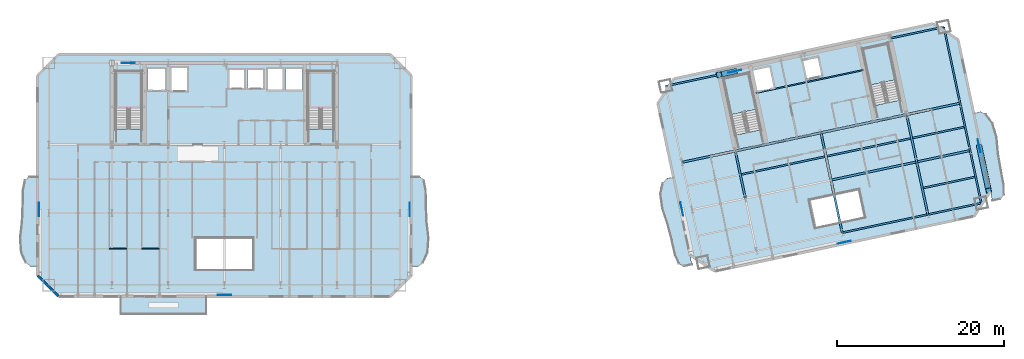
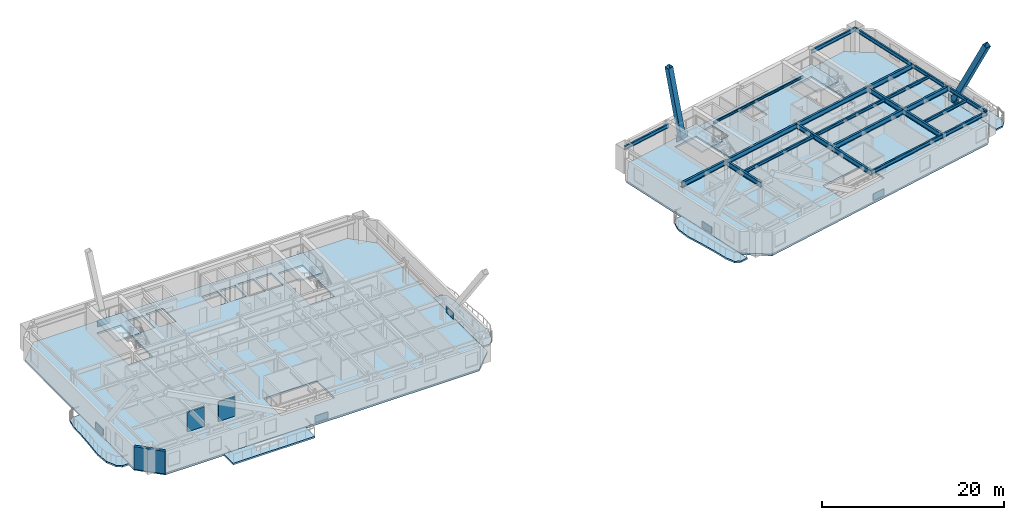
# One storey, part 4 of 14: 23 beams, 11 slabs, 8 plates, 3 walls, 2 members, 4 elements without a shape of their own.
"""IFC4 building model written with IfcOpenShell, lengths in metres."""

from ifc_helpers import new_model, si_unit, direction, frame, frame_2d, origin, origin_2d, place, context, subcontext, project, spatial, polyline, rectangle, hollow_rectangle, i_section, outline, extrude, material, layer, layer_set, material_profile, profile_set, type_object, element, aggregate, save


model = new_model("IFC4")

# Units and contexts
model_context = context("Model", 3, precision=1e-05, world=origin(), true_north=direction((0.0, 1.0)))
body_context = subcontext(model_context, "Body", "Model", "MODEL_VIEW")
ifc_project = project(units=[si_unit("LENGTHUNIT", "METRE"), si_unit("AREAUNIT", "SQUARE_METRE"), si_unit("VOLUMEUNIT", "CUBIC_METRE"), si_unit("PLANEANGLEUNIT", "RADIAN"), si_unit("MASSUNIT", "GRAM", prefix="KILO")], contexts=[model_context])

# Site, building, storey
site_placement = place(None, origin())
site = spatial("IfcSite", under=ifc_project, at=site_placement, CompositionType="ELEMENT")
building_placement = place(site_placement, origin())
building = spatial("IfcBuilding", under=site, at=building_placement, Name="Haevon Station Towers", CompositionType="ELEMENT")
storey_placement = place(building_placement, frame((0.0, 0.0, 123.0)))
storey = spatial("IfcBuildingStorey", under=building, at=storey_placement, Name="L33", CompositionType="ELEMENT", Elevation=123.0)

# Beams
ifc_material_1 = material(Name="Steel S355", Category="steel")
ifc_material_profile_1 = material_profile(ifc_material_1, i_section(OverallWidth=0.25, OverallDepth=0.64990234375, WebThickness=0.012939453125, FlangeThickness=0.02197265625, at=origin_2d()), Name="H-650x250x13x22")
ifc_profile_set_1 = profile_set([ifc_material_profile_1], Name="Steel S355")
beam_type_1 = type_object("IfcBeamType", Name="BM-G650", PredefinedType="BEAM", material=ifc_profile_set_1)
beam_1_placement = place(storey_placement, frame((110.228759765625, 33.9521484375, 2.72509765625), z_axis=(0.978146794194, 0.207915485254, 0.0), x_axis=(-0.207915485254, 0.978146794194, 0.0)))
element("IfcBeam", 1, at=beam_1_placement, inside=storey, type_object=beam_type_1, Name="BM-T2U-L33-02-03", PredefinedType="BEAM", context=body_context, shape_type="SweptSolid", body=[
    extrude(i_section(OverallWidth=0.25, OverallDepth=0.64990234375, WebThickness=0.012939453125, FlangeThickness=0.02197265625, at=origin_2d()), origin(), (0.0, 0.0, 1.0), 10.5),
])
for number, where, z_axis, x_axis, name in (
    (2, (120.499267578125, 36.13525390625, 2.72509765625), (0.978148524343, 0.207907345532, 0.0), (-0.207907345532, 0.978148524343, 0.0), "BM-T2U-L33-02-04"),
    (3, (92.345458984375, 36.08056640625, 2.72509765625), (0.978148524343, 0.207907345532, 0.0), (-0.207907345532, 0.978148524343, 0.0), "BM-T2U-L33-03-01"),
):
    element("IfcBeam", number, at=place(storey_placement, frame(where, z_axis=z_axis, x_axis=x_axis)), inside=storey, type_object=beam_type_1, Name=name, PredefinedType="BEAM", context=body_context, shape_type="SweptSolid", body=[
        extrude(i_section(OverallWidth=0.25, OverallDepth=0.64990234375, WebThickness=0.012939453125, FlangeThickness=0.02197265625, at=origin_2d()), origin(), (0.0, 0.0, 1.0), 6.550048828125),
    ])
for number, where, z_axis, x_axis, name in (
    (4, (98.75244140625, 37.4423828125, 2.72509765625), (0.978146794194, 0.207915485254, 0.0), (-0.207915485254, 0.978146794194, 0.0), "BM-T2U-L33-03-02"),
    (5, (109.02294921875, 39.62548828125, 2.72509765625), (0.978146794194, 0.207915485254, 0.0), (-0.207915485254, 0.978146794194, 0.0), "BM-T2U-L33-03-03"),
):
    element("IfcBeam", number, at=place(storey_placement, frame(where, z_axis=z_axis, x_axis=x_axis)), inside=storey, type_object=beam_type_1, Name=name, PredefinedType="BEAM", context=body_context, shape_type="SweptSolid", body=[
        extrude(i_section(OverallWidth=0.25, OverallDepth=0.64990234375, WebThickness=0.012939453125, FlangeThickness=0.02197265625, at=origin_2d()), origin(), (0.0, 0.0, 1.0), 10.5),
    ])
beam_2_placement = place(storey_placement, frame((119.29345703125, 41.80859375, 2.72509765625), z_axis=(0.978146913123, 0.207914925745, 0.0), x_axis=(-0.207914925745, 0.978146913123, 0.0)))
element("IfcBeam", 6, at=beam_2_placement, inside=storey, type_object=beam_type_1, Name="BM-T2U-L33-03-04", PredefinedType="BEAM", context=body_context, shape_type="SweptSolid", body=[
    extrude(i_section(OverallWidth=0.25, OverallDepth=0.64990234375, WebThickness=0.012939453125, FlangeThickness=0.02197265625, at=origin_2d()), origin(), (0.0, 0.0, 1.0), 6.5498046875),
])
beam_3_placement = place(storey_placement, frame((99.958251953125, 31.76904296875, 2.72509765625), z_axis=(-0.207896009217, 0.97815093383, 0.0), x_axis=(-0.97815093383, -0.207896009217, 0.0)))
element("IfcBeam", 7, at=beam_3_placement, inside=storey, type_object=beam_type_1, Name="BM-T2V-L33-02-02", PredefinedType="BEAM", context=body_context, shape_type="SweptSolid", body=[
    extrude(i_section(OverallWidth=0.25, OverallDepth=0.64990234375, WebThickness=0.012939453125, FlangeThickness=0.02197265625, at=origin_2d()), origin(), (0.0, 0.0, 1.0), 5.800048828125),
])
beam_4_placement = place(storey_placement, frame((111.56982421875, 27.64306640625, 2.72509765625), z_axis=(-0.207915795165, 0.978146728319, 0.0), x_axis=(-0.978146728319, -0.207915795165, 0.0)))
element("IfcBeam", 8, at=beam_4_placement, inside=storey, type_object=beam_type_1, Name="BM-T2V-L33-03-01", PredefinedType="BEAM", context=body_context, shape_type="SweptSolid", body=[
    extrude(i_section(OverallWidth=0.25, OverallDepth=0.64990234375, WebThickness=0.012939453125, FlangeThickness=0.02197265625, at=origin_2d()), origin(), (0.0, 0.0, 1.0), 6.449951171875),
])
beam_5_placement = place(storey_placement, frame((110.228759765625, 33.9521484375, 2.72509765625), z_axis=(-0.207896009217, 0.97815093383, 0.0), x_axis=(-0.97815093383, -0.207896009217, 0.0)))
element("IfcBeam", 9, at=beam_5_placement, inside=storey, type_object=beam_type_1, Name="BM-T2V-L33-03-02", PredefinedType="BEAM", context=body_context, shape_type="SweptSolid", body=[
    extrude(i_section(OverallWidth=0.25, OverallDepth=0.64990234375, WebThickness=0.012939453125, FlangeThickness=0.02197265625, at=origin_2d()), origin(), (0.0, 0.0, 1.0), 5.800048828125),
])
beam_6_placement = place(storey_placement, frame((121.84033203125, 29.826171875, 2.72509765625), z_axis=(-0.207915795165, 0.978146728319, 0.0), x_axis=(-0.978146728319, -0.207915795165, 0.0)))
element("IfcBeam", 10, at=beam_6_placement, inside=storey, type_object=beam_type_1, Name="BM-T2V-L33-04-01", PredefinedType="BEAM", context=body_context, shape_type="SweptSolid", body=[
    extrude(i_section(OverallWidth=0.25, OverallDepth=0.64990234375, WebThickness=0.012939453125, FlangeThickness=0.02197265625, at=origin_2d()), origin(), (0.0, 0.0, 1.0), 6.449951171875),
])
beam_7_placement = place(storey_placement, frame((120.499267578125, 36.13525390625, 2.72509765625), z_axis=(-0.207896009217, 0.97815093383, 0.0), x_axis=(-0.97815093383, -0.207896009217, 0.0)))
element("IfcBeam", 11, at=beam_7_placement, inside=storey, type_object=beam_type_1, Name="BM-T2V-L33-04-02", PredefinedType="BEAM", context=body_context, shape_type="SweptSolid", body=[
    extrude(i_section(OverallWidth=0.25, OverallDepth=0.64990234375, WebThickness=0.012939453125, FlangeThickness=0.02197265625, at=origin_2d()), origin(), (0.0, 0.0, 1.0), 5.800048828125),
])
ifc_material_profile_2 = material_profile(ifc_material_1, i_section(OverallWidth=0.199951171875, OverallDepth=0.39990234375, WebThickness=0.008056640625, FlangeThickness=0.012939453125, at=origin_2d()), Name="H-400x200x8x13")
ifc_profile_set_2 = profile_set([ifc_material_profile_2], Name="Steel S355")
beam_type_2 = type_object("IfcBeamType", Name="BM-J400", PredefinedType="JOIST", material=ifc_profile_set_2)
beam_8_placement = place(storey_placement, frame((121.27734375, 33.003662109375, 2.85009765625), z_axis=(0.978146498858, 0.207916874669, 0.0), x_axis=(-0.207916874669, 0.978146498858, 0.0)))
element("IfcBeam", 12, at=beam_8_placement, inside=storey, type_object=beam_type_2, Name="BM-T2J-L33-01-04", PredefinedType="JOIST", context=body_context, shape_type="SweptSolid", body=[
    extrude(i_section(OverallWidth=0.199951171875, OverallDepth=0.39990234375, WebThickness=0.008056640625, FlangeThickness=0.012939453125, at=origin_2d()), origin(), (0.0, 0.0, 1.0), 6.330322265625),
])
for number, where, z_axis, x_axis, name in (
    (13, (99.462890625, 34.628662109375, 2.85009765625), (0.978150339653, 0.207898804801, 0.0), (-0.207898804801, 0.978150339653, 0.0), "BM-T2J-L33-02-02"),
    (14, (109.7333984375, 36.811767578125, 2.85009765625), (0.978150339653, 0.207898804801, 0.0), (-0.207898804801, 0.978150339653, 0.0), "BM-T2J-L33-02-03"),
):
    element("IfcBeam", number, at=place(storey_placement, frame(where, z_axis=z_axis, x_axis=x_axis)), inside=storey, type_object=beam_type_2, Name=name, PredefinedType="JOIST", context=body_context, shape_type="SweptSolid", body=[
        extrude(i_section(OverallWidth=0.199951171875, OverallDepth=0.39990234375, WebThickness=0.008056640625, FlangeThickness=0.012939453125, at=origin_2d()), origin(), (0.0, 0.0, 1.0), 10.280029296875),
    ])
beam_9_placement = place(storey_placement, frame((120.00390625, 38.994873046875, 2.85009765625), z_axis=(0.978152675037, 0.207887816665, 0.0), x_axis=(-0.207887816665, 0.978152675037, 0.0)))
element("IfcBeam", 15, at=beam_9_placement, inside=storey, type_object=beam_type_2, Name="BM-T2J-L33-02-04", PredefinedType="JOIST", context=body_context, shape_type="SweptSolid", body=[
    extrude(i_section(OverallWidth=0.199951171875, OverallDepth=0.39990234375, WebThickness=0.008056640625, FlangeThickness=0.012939453125, at=origin_2d()), origin(), (0.0, 0.0, 1.0), 6.329833984375),
])
ifc_material_profile_3 = material_profile(ifc_material_1, i_section(OverallWidth=0.14990234375, OverallDepth=0.300048828125, WebThickness=0.006591796875, FlangeThickness=0.009033203125, at=origin_2d()), Name="H-300x150x6.5x9")
ifc_profile_set_3 = profile_set([ifc_material_profile_3], Name="Steel S355")
beam_type_3 = type_object("IfcBeamType", Name="BM-LIN300", PredefinedType="LINTEL", material=ifc_profile_set_3)
beam_10_placement = place(storey_placement, frame((101.20849609375, 44.4052734375, 2.89990234375), z_axis=(0.978147802964, 0.207910739399, 0.0), x_axis=(-0.207910739399, 0.978147802964, 0.0)))
element("IfcBeam", 16, at=beam_10_placement, inside=storey, type_object=beam_type_3, Name="BM-T2LIN-L33", PredefinedType="LINTEL", context=body_context, shape_type="SweptSolid", body=[
    extrude(i_section(OverallWidth=0.14990234375, OverallDepth=0.300048828125, WebThickness=0.006591796875, FlangeThickness=0.009033203125, at=origin_2d()), origin(), (0.0, 0.0, 1.0), 13.19970703125),
])
ifc_material_profile_4 = material_profile(ifc_material_1, i_section(OverallWidth=0.199951171875, OverallDepth=0.5, WebThickness=0.010009765625, FlangeThickness=0.01611328125, at=origin_2d()), Name="H-500x200x10x16")
ifc_profile_set_4 = profile_set([ifc_material_profile_4], Name="Steel S355")
beam_type_4 = type_object("IfcBeamType", Name="BM-SP500", PredefinedType="SPANDREL", material=ifc_profile_set_4)
beam_11_placement = place(storey_placement, frame((111.56982421875, 27.64306640625, 2.800048828125), z_axis=(0.978146794194, 0.207915485254, 0.0), x_axis=(-0.207915485254, 0.978146794194, 0.0)))
element("IfcBeam", 17, at=beam_11_placement, inside=storey, type_object=beam_type_4, Name="BM-T2U-L33-01-03", PredefinedType="SPANDREL", context=body_context, shape_type="SweptSolid", body=[
    extrude(i_section(OverallWidth=0.199951171875, OverallDepth=0.5, WebThickness=0.010009765625, FlangeThickness=0.01611328125, at=origin_2d()), origin(), (0.0, 0.0, 1.0), 10.5),
])
beam_12_placement = place(storey_placement, frame((121.84033203125, 29.826171875, 2.800048828125), z_axis=(0.978148524343, 0.207907345532, 0.0), x_axis=(-0.207907345532, 0.978148524343, 0.0)))
element("IfcBeam", 18, at=beam_12_placement, inside=storey, type_object=beam_type_4, Name="BM-T2U-L33-01-04", PredefinedType="SPANDREL", context=body_context, shape_type="SweptSolid", body=[
    extrude(i_section(OverallWidth=0.199951171875, OverallDepth=0.5, WebThickness=0.010009765625, FlangeThickness=0.01611328125, at=origin_2d()), origin(), (0.0, 0.0, 1.0), 6.550048828125),
])
beam_13_placement = place(storey_placement, frame((90.401611328125, 45.226318359375, 2.800048828125), z_axis=(0.978146913123, 0.207914925745, 0.0), x_axis=(-0.207914925745, 0.978146913123, 0.0)))
element("IfcBeam", 19, at=beam_13_placement, inside=storey, type_object=beam_type_4, Name="BM-T2U-L33-04-01", PredefinedType="SPANDREL", context=body_context, shape_type="SweptSolid", body=[
    extrude(i_section(OverallWidth=0.199951171875, OverallDepth=0.5, WebThickness=0.010009765625, FlangeThickness=0.01611328125, at=origin_2d()), origin(), (0.0, 0.0, 1.0), 6.5498046875),
])
beam_14_placement = place(storey_placement, frame((117.349365234375, 50.954345703125, 2.800048828125), z_axis=(0.978148524343, 0.207907345532, 0.0), x_axis=(-0.207907345532, 0.978148524343, 0.0)))
element("IfcBeam", 20, at=beam_14_placement, inside=storey, type_object=beam_type_4, Name="BM-T2U-L33-04-04", PredefinedType="SPANDREL", context=body_context, shape_type="SweptSolid", body=[
    extrude(i_section(OverallWidth=0.199951171875, OverallDepth=0.5, WebThickness=0.010009765625, FlangeThickness=0.01611328125, at=origin_2d()), origin(), (0.0, 0.0, 1.0), 6.550048828125),
])
beam_15_placement = place(storey_placement, frame((128.247314453125, 31.18798828125, 2.800048828125), z_axis=(-0.207915795165, 0.978146728319, 0.0), x_axis=(-0.978146728319, -0.207915795165, 0.0)))
element("IfcBeam", 21, at=beam_15_placement, inside=storey, type_object=beam_type_4, Name="BM-T2V-L33-05-01", PredefinedType="SPANDREL", context=body_context, shape_type="SweptSolid", body=[
    extrude(i_section(OverallWidth=0.199951171875, OverallDepth=0.5, WebThickness=0.010009765625, FlangeThickness=0.01611328125, at=origin_2d()), origin(), (0.0, 0.0, 1.0), 6.449951171875),
])
beam_16_placement = place(storey_placement, frame((126.90625, 37.4970703125, 2.800048828125), z_axis=(-0.207936282142, 0.978142373363, 0.0), x_axis=(-0.978142373363, -0.207936282142, 0.0)))
element("IfcBeam", 22, at=beam_16_placement, inside=storey, type_object=beam_type_4, Name="BM-T2V-L33-05-02", PredefinedType="SPANDREL", context=body_context, shape_type="SweptSolid", body=[
    extrude(i_section(OverallWidth=0.199951171875, OverallDepth=0.5, WebThickness=0.010009765625, FlangeThickness=0.01611328125, at=origin_2d()), origin(), (0.0, 0.0, 1.0), 5.800048828125),
])
beam_17_placement = place(storey_placement, frame((125.7001953125, 43.17041015625, 2.800048828125), z_axis=(-0.207897167074, 0.978150687738, 0.0), x_axis=(-0.978150687738, -0.207897167074, 0.0)))
element("IfcBeam", 23, at=beam_17_placement, inside=storey, type_object=beam_type_4, Name="BM-T2V-L33-05-03", PredefinedType="SPANDREL", context=body_context, shape_type="SweptSolid", body=[
    extrude(i_section(OverallWidth=0.199951171875, OverallDepth=0.5, WebThickness=0.010009765625, FlangeThickness=0.01611328125, at=origin_2d()), origin(), (0.0, 0.0, 1.0), 9.35009765625),
])

# Members
ifc_material_2 = material(Name="Steel S460", Category="steel")
ifc_material_profile_5 = material_profile(ifc_material_2, hollow_rectangle(XDim=0.64990234375, YDim=0.64990234375, WallThickness=0.031982421875, at=origin_2d()), Name="RHS-650x650x32")
ifc_profile_set_5 = profile_set([ifc_material_profile_5], Name="Steel S460")
member_type = type_object("IfcMemberType", Name="MB-650", PredefinedType="BRACE", material=ifc_profile_set_5)
member_1_placement = place(storey_placement, frame((98.630859375, 46.9755859375, 0.646240234375), z_axis=(-0.179104077988, -0.038076111422, 0.983093046963), x_axis=(0.207944946212, -0.978140531491, 0.0)))
element("IfcMember", 24, at=member_1_placement, inside=storey, type_object=member_type, Name="BR-T2MB-T04-N-D2B", PredefinedType="BRACE", context=body_context, shape_type="SweptSolid", body=[
    extrude(hollow_rectangle(XDim=0.64990234375, YDim=0.64990234375, WallThickness=0.031982421875, at=origin_2d()), origin(), (0.0, 0.0, 1.0), 10.17578125),
])
member_2_placement = place(storey_placement, frame((128.015869140625, 37.904052734375, 0.61279296875), z_axis=(0.097324376369, -0.457906032278, 0.883657191092), x_axis=(0.978150448466, 0.20789829284, 0.0)))
element("IfcMember", 25, at=member_2_placement, inside=storey, type_object=member_type, Name="BR-T2MB-T04-E-D2B", PredefinedType="BRACE", context=body_context, shape_type="SweptSolid", body=[
    extrude(hollow_rectangle(XDim=0.64990234375, YDim=0.64990234375, WallThickness=0.031982421875, at=origin_2d()), origin(), (0.0, 0.0, 1.0), 11.358642578125),
])

# Plates
ifc_material_3 = material(Name="PL-GUS1", Category="steel")
ifc_layer_1 = layer(ifc_material_3, 0.035888671875)
ifc_layer_set_1 = layer_set([ifc_layer_1], Name="PL-GUS1")
plate_type = type_object("IfcPlateType", Name="PL-GUS1", PredefinedType="USERDEFINED", material=ifc_layer_set_1)
for number, where, z_axis, x_axis, name in (
    (26, (37.5, 20.179931640625, -0.235107421875), (0.0, 0.0, 1.0), (1.0, 0.0, 0.0), "PL-T1GUS-T04-S"),
    (27, (25.97509765625, 48.0, -0.235107421875), (0.0, 0.0, 1.0), (1.0, 0.0, 0.0), "PL-T1GUS-T04-N"),
    (28, (15.280029296875, 30.425048828125, -0.235107421875), (0.0, 0.0, 1.0), (0.0, 1.0, 0.0), "PL-T1GUS-T04-W"),
    (29, (59.719970703125, 30.425048828125, -0.235107421875), (0.0, 0.0, 1.0), (0.0, 1.0, 0.0), "PL-T1GUS-T04-E"),
    (30, (111.81298828125, 26.498779296875, -0.235107421875), (0.0, 0.0, 1.0), (0.978147600734, 0.207911690818, 0.0), "PL-T2GUS-T04-S"),
    (31, (98.69140625, 46.98828125, -0.235107421875), (0.0, 0.0, 1.0), (0.978147600734, 0.207911690818, 0.0), "PL-T2GUS-T04-N"),
    (32, (92.33935546875, 30.48193359375, -0.235107421875), (0.0, 0.0, 1.0), (-0.207911690818, 0.978147600734, 0.0), "PL-T2GUS-T04-W"),
    (33, (127.983154296875, 38.058349609375, -0.235107421875), (0.0, 0.0, 1.0), (-0.207911690818, 0.978147600734, 0.0), "PL-T2GUS-T04-E"),
):
    element("IfcPlate", number, at=place(storey_placement, frame(where, z_axis=z_axis, x_axis=x_axis)), inside=storey, type_object=plate_type, Name=name, ObjectType="GUSSET_PLATE", PredefinedType="USERDEFINED", context=body_context, shape_type="SweptSolid", body=[
        extrude(rectangle(XDim=1.60009765625, YDim=0.035888671875, at=origin_2d()), origin(), (0.0, 0.0, 1.0), 1.10009765625),
    ])

# Slabs
ifc_material_4 = material(Name="Concrete C40/50", Category="concrete")
ifc_layer_2 = layer(ifc_material_4, 0.219970703125)
ifc_layer_set_2 = layer_set([ifc_layer_2], Name="Concrete C40/50")
slab_type_1 = type_object("IfcSlabType", Name="SL-BALC220", PredefinedType="FLOOR", material=ifc_layer_set_2)
slab_1_placement = place(storey_placement, frame((0.0, 0.0, -0.219970703125)))
element("IfcSlab", 34, at=slab_1_placement, inside=storey, type_object=slab_type_1, Name="Tower 1 L33 West SCALLOPED BALCONY", PredefinedType="FLOOR", context=body_context, shape_type="SweptSolid", body=[
    extrude(outline(polyline([(15.094970703125, 34.39990234375), (14.1376953125, 34.39990234375), (13.596435546875, 33.989013671875), (13.351806640625, 32.818359375), (13.311767578125, 31.06640625), (13.17431640625, 29.0), (12.994873046875, 26.93359375), (13.14111328125, 25.181640625), (13.6845703125, 24.010986328125), (14.2451171875, 23.60009765625), (15.094970703125, 23.60009765625), (15.094970703125, 34.39990234375)])), origin(), (0.0, 0.0, 1.0), 0.219970703125),
])
slab_2_placement = place(storey_placement, frame((0.0, 0.0, -0.219970703125)))
element("IfcSlab", 35, at=slab_2_placement, inside=storey, type_object=slab_type_1, Name="Tower 1 L33 East SCALLOPED BALCONY", PredefinedType="FLOOR", context=body_context, shape_type="SweptSolid", body=[
    extrude(outline(polyline([(59.905029296875, 23.60009765625), (60.7548828125, 23.60009765625), (61.3154296875, 24.010986328125), (61.85888671875, 25.181640625), (62.005126953125, 26.93359375), (61.82568359375, 29.0), (61.688232421875, 31.06640625), (61.648193359375, 32.818359375), (61.403564453125, 33.989013671875), (60.8623046875, 34.39990234375), (59.905029296875, 34.39990234375), (59.905029296875, 23.60009765625)])), origin(), (0.0, 0.0, 1.0), 0.219970703125),
])
slab_3_placement = place(storey_placement, frame((0.0, 0.0, -0.219970703125)))
element("IfcSlab", 36, at=slab_3_placement, inside=storey, type_object=slab_type_1, Name="Tower 1 L33 Planted Balcony Band", PredefinedType="FLOOR", context=body_context, shape_type="SweptSolid", body=[
    extrude(outline(polyline([(25.0, 17.89990234375), (35.39990234375, 17.89990234375), (35.39990234375, 19.9951171875), (25.0, 19.9951171875), (25.0, 17.89990234375)])), origin(), (0.0, 0.0, 1.0), 0.219970703125),
])
slab_4_placement = place(storey_placement, frame((0.0, 0.0, -0.219970703125)))
element("IfcSlab", 37, at=slab_4_placement, inside=storey, type_object=slab_type_1, Name="Tower 2 L33 West SCALLOPED BALCONY", PredefinedType="FLOOR", context=body_context, shape_type="SweptSolid", body=[
    extrude(outline(polyline([(91.33203125, 34.33154296875), (90.50048828125, 34.155029296875), (90.037841796875, 33.63623046875), (89.74951171875, 32.37841796875), (89.970703125, 30.63427734375), (90.576171875, 28.650390625), (91.14013671875, 26.657470703125), (91.54345703125, 24.952392578125), (92.026123046875, 23.858154296875), (92.640869140625, 23.568603515625), (93.577392578125, 23.767578125), (91.33203125, 34.33154296875)])), origin(), (0.0, 0.0, 1.0), 0.219970703125),
])
slab_5_placement = place(storey_placement, frame((0.0, 0.0, -0.219970703125)))
element("IfcSlab", 38, at=slab_5_placement, inside=storey, type_object=slab_type_1, Name="Tower 2 L33 East SCALLOPED BALCONY", PredefinedType="FLOOR", context=body_context, shape_type="SweptSolid", body=[
    extrude(outline(polyline([(129.5830078125, 31.4208984375), (130.51953125, 31.619873046875), (130.96337890625, 32.134521484375), (130.959228515625, 33.330322265625), (130.63427734375, 35.05224609375), (130.3388671875, 37.102294921875), (130.0849609375, 39.160888671875), (129.57763671875, 40.843994140625), (128.802734375, 41.8759765625), (128.1689453125, 42.16162109375), (127.337646484375, 41.98486328125), (129.5830078125, 31.4208984375)])), origin(), (0.0, 0.0, 1.0), 0.219970703125),
])

# Stair, slab
stair_type = type_object("IfcStairType", Name="STR-DL1450", PredefinedType="USERDEFINED", material=ifc_material_4)
stair_1_placement = place(storey_placement, origin())
stair_1 = element("IfcStair", 39, at=stair_1_placement, inside=storey, type_object=stair_type, Name="L33 Escape Stair ST1", ObjectType="TWO_RETURN_STAIR", PredefinedType="USERDEFINED")
ifc_layer_3 = layer(ifc_material_4, 0.199951171875)
ifc_layer_set_3 = layer_set([ifc_layer_3], Name="Concrete C40/50")
slab_type_2 = type_object("IfcSlabType", Name="SL-LND200", PredefinedType="LANDING", material=ifc_layer_set_3)
slab_6_placement = place(storey_placement, frame((0.0, 0.0, 1.449951171875)))
slab_6 = element("IfcSlab", 40, at=slab_6_placement, type_object=slab_type_2, Name="L33 ST1 Half Landing 1", PredefinedType="LANDING", context=body_context, shape_type="SweptSolid", body=[
    extrude(outline(polyline([(27.580078125, 42.56396484375), (27.580078125, 47.0), (24.47998046875, 47.0), (24.47998046875, 42.56396484375), (27.580078125, 42.56396484375)])), origin(), (0.0, 0.0, 1.0), 0.199951171875),
])
aggregate(stair_1, [slab_6])

stair_2_placement = place(storey_placement, origin())
stair_2 = element("IfcStair", 41, at=stair_2_placement, inside=storey, type_object=stair_type, Name="L33 Escape Stair ST2", ObjectType="TWO_RETURN_STAIR", PredefinedType="USERDEFINED")
slab_7_placement = place(storey_placement, frame((0.0, 0.0, 1.449951171875)))
slab_7 = element("IfcSlab", 42, at=slab_7_placement, type_object=slab_type_2, Name="L33 ST2 Half Landing 1", PredefinedType="LANDING", context=body_context, shape_type="SweptSolid", body=[
    extrude(outline(polyline([(50.6201171875, 42.56396484375), (50.6201171875, 47.0), (47.52001953125, 47.0), (47.52001953125, 42.56396484375), (50.6201171875, 42.56396484375)])), origin(), (0.0, 0.0, 1.0), 0.199951171875),
])
aggregate(stair_2, [slab_7])

stair_3_placement = place(storey_placement, origin())
stair_3 = element("IfcStair", 43, at=stair_3_placement, inside=storey, type_object=stair_type, Name="L33 Escape Stair ST3", ObjectType="TWO_RETURN_STAIR", PredefinedType="USERDEFINED")
slab_8_placement = place(storey_placement, frame((0.0, 0.0, 1.449951171875)))
slab_8 = element("IfcSlab", 44, at=slab_8_placement, type_object=slab_type_2, Name="L33 ST3 Half Landing 1", PredefinedType="LANDING", context=body_context, shape_type="SweptSolid", body=[
    extrude(outline(polyline([(101.2880859375, 42.44287109375), (100.36572265625, 46.781982421875), (97.33349609375, 46.137451171875), (98.255859375, 41.79833984375), (101.2880859375, 42.44287109375)])), origin(), (0.0, 0.0, 1.0), 0.199951171875),
])
aggregate(stair_3, [slab_8])

stair_4_placement = place(storey_placement, origin())
stair_4 = element("IfcStair", 45, at=stair_4_placement, inside=storey, type_object=stair_type, Name="L33 Escape Stair ST4", ObjectType="TWO_RETURN_STAIR", PredefinedType="USERDEFINED")
slab_9_placement = place(storey_placement, frame((0.0, 0.0, 1.449951171875)))
slab_9 = element("IfcSlab", 46, at=slab_9_placement, type_object=slab_type_2, Name="L33 ST4 Half Landing 1", PredefinedType="LANDING", context=body_context, shape_type="SweptSolid", body=[
    extrude(outline(polyline([(117.975341796875, 45.989990234375), (117.052978515625, 50.328857421875), (114.020751953125, 49.684326171875), (114.943115234375, 45.345458984375), (117.975341796875, 45.989990234375)])), origin(), (0.0, 0.0, 1.0), 0.199951171875),
])
aggregate(stair_4, [slab_9])

# Slabs
ifc_layer_4 = layer(ifc_material_4, 0.25)
ifc_layer_set_4 = layer_set([ifc_layer_4], Name="Concrete C40/50")
slab_type_3 = type_object("IfcSlabType", Name="SL-TW250", PredefinedType="FLOOR", material=ifc_layer_set_4)
slab_10_placement = place(storey_placement, frame((0.0, 0.0, -0.25)))
element("IfcSlab", 47, at=slab_10_placement, inside=storey, type_object=slab_type_3, Name="SL-T1-L33", PredefinedType="FLOOR", context=body_context, shape_type="SweptSolid", body=[
    extrude(outline(polyline([(17.60009765625, 20.0), (57.39990234375, 20.0), (59.89990234375, 22.5), (59.89990234375, 46.5), (57.39990234375, 49.0), (17.60009765625, 49.0), (15.10009765625, 46.5), (15.10009765625, 22.5), (17.60009765625, 20.0)]), holes=[polyline([(27.580078125, 40.055908203125), (27.580078125, 47.0), (24.47998046875, 47.0), (24.47998046875, 40.055908203125), (27.580078125, 40.055908203125)]), polyline([(50.6201171875, 40.055908203125), (50.6201171875, 47.0), (47.52001953125, 47.0), (47.52001953125, 40.055908203125), (50.6201171875, 40.055908203125)]), polyline([(28.300048828125, 44.699951171875), (30.5, 44.699951171875), (30.5, 47.39990234375), (28.300048828125, 47.39990234375), (28.300048828125, 44.699951171875)]), polyline([(31.050048828125, 44.60009765625), (33.14990234375, 44.60009765625), (33.14990234375, 47.5), (31.050048828125, 47.5), (31.050048828125, 44.60009765625)]), polyline([(38.0, 44.89990234375), (40.0, 44.89990234375), (40.0, 47.300048828125), (38.0, 47.300048828125), (38.0, 44.89990234375)]), polyline([(40.25, 44.89990234375), (42.25, 44.89990234375), (42.25, 47.300048828125), (40.25, 47.300048828125), (40.25, 44.89990234375)]), polyline([(42.60009765625, 44.699951171875), (44.60009765625, 44.699951171875), (44.60009765625, 47.39990234375), (42.60009765625, 47.39990234375), (42.60009765625, 44.699951171875)]), polyline([(44.85009765625, 44.699951171875), (46.85009765625, 44.699951171875), (46.85009765625, 47.39990234375), (44.85009765625, 47.39990234375), (44.85009765625, 44.699951171875)]), polyline([(34.10009765625, 23.199951171875), (40.89990234375, 23.199951171875), (40.89990234375, 27.0), (34.10009765625, 27.0), (34.10009765625, 23.199951171875)])]), origin(), (0.0, 0.0, 1.0), 0.25),
])
slab_11_placement = place(storey_placement, frame((0.0, 0.0, -0.25)))
element("IfcSlab", 48, at=slab_11_placement, inside=storey, type_object=slab_type_3, Name="SL-T2-L33", PredefinedType="FLOOR", context=body_context, shape_type="SweptSolid", body=[
    extrude(outline(polyline([(96.2978515625, 23.016845703125), (127.403076171875, 29.62841796875), (129.32861328125, 32.593505859375), (125.46142578125, 50.787109375), (122.496337890625, 52.712646484375), (91.391357421875, 46.10107421875), (89.465576171875, 43.135986328125), (93.332763671875, 24.9423828125), (96.2978515625, 23.016845703125)]), holes=[polyline([(101.8095703125, 39.98974609375), (100.36572265625, 46.781982421875), (97.33349609375, 46.137451171875), (98.77734375, 39.34521484375), (101.8095703125, 39.98974609375)]), polyline([(118.496826171875, 43.53662109375), (117.052978515625, 50.328857421875), (114.020751953125, 49.684326171875), (115.464599609375, 42.89208984375), (118.496826171875, 43.53662109375)]), polyline([(101.43212890625, 44.554931640625), (103.486328125, 44.99169921875), (102.9248046875, 47.632568359375), (100.870849609375, 47.196044921875), (101.43212890625, 44.554931640625)]), polyline([(107.259521484375, 45.998046875), (109.2158203125, 46.413818359375), (108.716796875, 48.761474609375), (106.760498046875, 48.345703125), (107.259521484375, 45.998046875)]), polyline([(108.37548828125, 28.2421875), (114.244384765625, 29.489501953125), (113.537353515625, 32.815185546875), (107.668701171875, 31.56787109375), (108.37548828125, 28.2421875)])]), origin(), (0.0, 0.0, 1.0), 0.25),
])

# Walls
ifc_material_5 = material(Name="Precast concrete C45/55", Category="concrete")
ifc_layer_5 = layer(ifc_material_5, 0.320068359375)
ifc_layer_set_5 = layer_set([ifc_layer_5], Name="Precast concrete C45/55")
wall_type_1 = type_object("IfcWallType", Name="WL-EXT-PIER320", PredefinedType="SOLIDWALL", material=ifc_layer_set_5)
wall_placement = place(storey_placement, frame((17.60009765625, 20.0, 0.0), z_axis=(0.0, 0.0, 1.0), x_axis=(-0.707106781187, 0.707106781187, 0.0)))
element("IfcWall", 49, at=wall_placement, inside=storey, type_object=wall_type_1, Name="WL-T1-L33-SWC", PredefinedType="SOLIDWALL", context=body_context, shape_type="SweptSolid", body=[
    extrude(rectangle(XDim=3.53564453125, YDim=0.320068359375, at=frame_2d((1.767822265625, 0.0))), origin(), (0.0, 0.0, 1.0), 3.030029296875),
])
ifc_material_6 = material(Name="Gypsum board on steel stud", Category="steel")
ifc_layer_6 = layer(ifc_material_6, 0.125)
ifc_layer_set_6 = layer_set([ifc_layer_6], Name="Gypsum board on steel stud")
wall_type_2 = type_object("IfcWallType", Name="WL-PRT125", PredefinedType="PARTITIONING", material=ifc_layer_set_6)
for number, where, z_axis, x_axis, name in (
    (50, (23.699951171875, 25.697021484375, 0.0), (0.0, 0.0, 1.0), (1.0, 0.0, 0.0), "WL-T1PT-L33-11"),
    (51, (27.594970703125, 25.697021484375, 0.0), (0.0, 0.0, 1.0), (1.0, 0.0, 0.0), "WL-T1PT-L33-14"),
):
    element("IfcWall", number, at=place(storey_placement, frame(where, z_axis=z_axis, x_axis=x_axis)), inside=storey, type_object=wall_type_2, Name=name, PredefinedType="PARTITIONING", context=body_context, shape_type="SweptSolid", body=[
        extrude(rectangle(XDim=2.114990234375, YDim=0.125, at=frame_2d((1.0576171875, 0.0))), origin(), (0.0, 0.0, 1.0), 2.6298828125),
    ])

save(model, "model.ifc")
